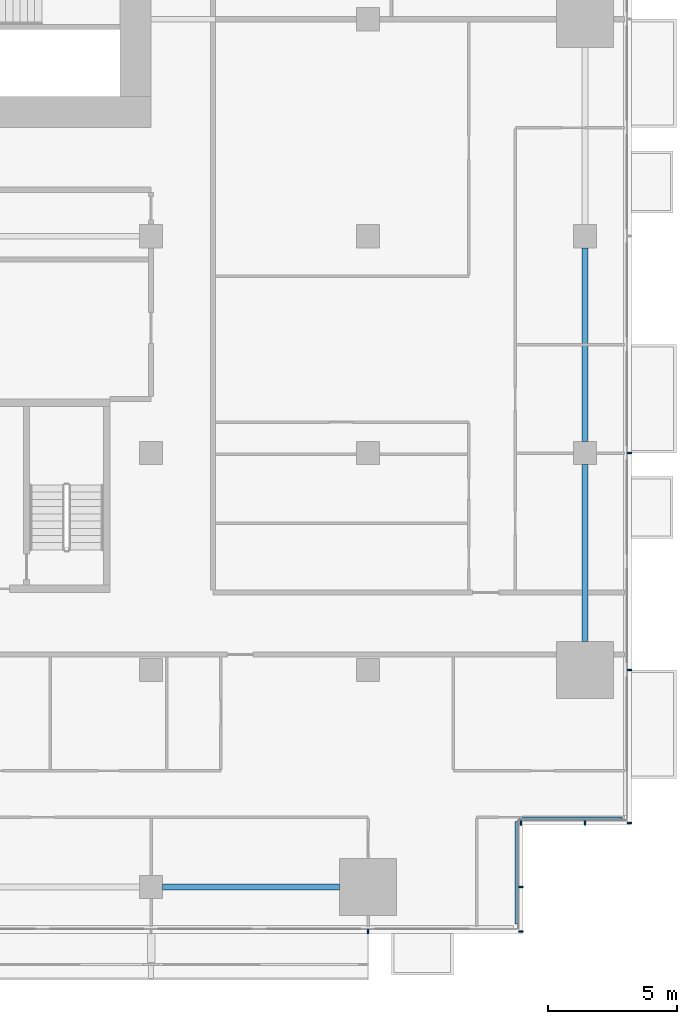
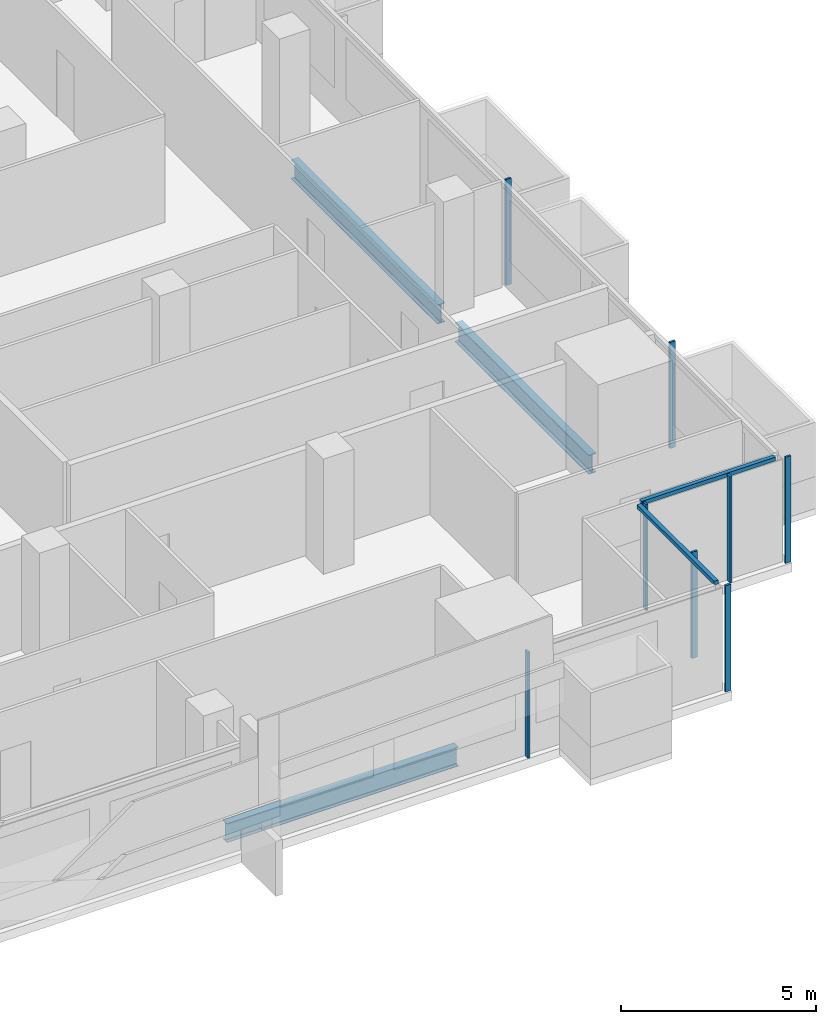
# One storey, part 11 of 27: 10 members, 3 beams, 4 elements without a shape of their own.
"""IFC4 building model written with IfcOpenShell, lengths in metres."""

from ifc_helpers import new_model, si_unit, direction, frame, origin, origin_2d, place, context, subcontext, project, spatial, rectangle, i_section, extrude, material, material_profile, profile_set, type_object, element, aggregate, save


model = new_model("IFC4")

# Units and contexts
model_context = context("Model", 3, precision=1e-05, world=origin(), true_north=direction((0.0, 1.0)))
body_context = subcontext(model_context, "Body", "Model", "MODEL_VIEW")
ifc_project = project(units=[si_unit("LENGTHUNIT", "METRE"), si_unit("AREAUNIT", "SQUARE_METRE"), si_unit("VOLUMEUNIT", "CUBIC_METRE"), si_unit("PLANEANGLEUNIT", "RADIAN"), si_unit("MASSUNIT", "GRAM", prefix="KILO")], contexts=[model_context])

# Site, building, storey
site_placement = place(None, origin())
site = spatial("IfcSite", under=ifc_project, at=site_placement, CompositionType="ELEMENT")
building_placement = place(site_placement, origin())
building = spatial("IfcBuilding", under=site, at=building_placement, Name="Saffron Gate Tower", CompositionType="ELEMENT")
storey_placement = place(building_placement, frame((0.0, 0.0, 44.39990234375)))
storey = spatial("IfcBuildingStorey", under=building, at=storey_placement, Name="L09", CompositionType="ELEMENT", Elevation=44.39990234375)

# Beams
ifc_material_1 = material(Name="Structural steel S355", Category="steel")
ifc_material_profile_1 = material_profile(ifc_material_1, i_section(OverallWidth=0.219970703125, OverallDepth=0.60009765625, WebThickness=0.011962890625, FlangeThickness=0.01904296875, FilletRadius=0.02392578125, at=origin_2d()))
ifc_profile_set_1 = profile_set([ifc_material_profile_1], Name="Structural steel S355")
beam_type = type_object("IfcBeamType", Name="B16 IPE 600", PredefinedType="SPANDREL", material=ifc_profile_set_1)
for number, where, z_axis, x_axis, name in (
    (1, (109.050048828125, 31.800048828125, -0.579833984375), (1.0, 0.0, 0.0), (0.0, 1.0, 0.0), "B16 SPANDREL BEAM"),
    (2, (125.39990234375, 41.300048828125, -0.579833984375), (0.0, 1.0, 0.0), (-1.0, 0.0, 0.0), "B16 SPANDREL BEAM"),
):
    element("IfcBeam", number, at=place(storey_placement, frame(where, z_axis=z_axis, x_axis=x_axis)), inside=storey, type_object=beam_type, Name=name, PredefinedType="SPANDREL", context=body_context, shape_type="SweptSolid", body=[
        extrude(i_section(OverallWidth=0.219970703125, OverallDepth=0.60009765625, WebThickness=0.011962890625, FlangeThickness=0.01904296875, FilletRadius=0.02392578125, at=origin_2d()), origin(), (0.0, 0.0, 1.0), 6.849853515625),
    ])
beam_placement = place(storey_placement, frame((125.39990234375, 49.050048828125, -0.579833984375), z_axis=(0.0, 1.0, 0.0), x_axis=(-1.0, 0.0, 0.0)))
element("IfcBeam", 3, at=beam_placement, inside=storey, type_object=beam_type, Name="B16 SPANDREL BEAM", PredefinedType="SPANDREL", context=body_context, shape_type="SweptSolid", body=[
    extrude(i_section(OverallWidth=0.219970703125, OverallDepth=0.60009765625, WebThickness=0.011962890625, FlangeThickness=0.01904296875, FilletRadius=0.02392578125, at=origin_2d()), origin(), (0.0, 0.0, 1.0), 7.5),
])

# Curtain wall, member
ifc_material_2 = material(Name="Aluminium, bronze anodised", Category="aluminium")
curtain_wall_type_1 = type_object("IfcCurtainWallType", Name="CWS1 curtain wall front facade", PredefinedType="NOTDEFINED", material=ifc_material_2)
curtain_wall_1_placement = place(storey_placement, origin())
curtain_wall_1 = element("IfcCurtainWall", 4, at=curtain_wall_1_placement, inside=storey, type_object=curtain_wall_type_1, Name="CWS1 run 1", PredefinedType="NOTDEFINED")
ifc_material_profile_2 = material_profile(ifc_material_2, rectangle(XDim=0.159912109375, YDim=0.06005859375, at=origin_2d()))
ifc_profile_set_2 = profile_set([ifc_material_profile_2], Name="Aluminium, bronze anodised")
member_type_1 = type_object("IfcMemberType", Name="CWS1 mullion 60x160", PredefinedType="MULLION", material=ifc_profile_set_2)
member_1_placement = place(storey_placement, frame((117.0, 30.080078125, 0.0), z_axis=(0.0, 0.0, 1.0), x_axis=(0.0, 1.0, 0.0)))
member_1 = element("IfcMember", 5, at=member_1_placement, type_object=member_type_1, Name="CWS1 mullion 9", PredefinedType="MULLION", context=body_context, shape_type="SweptSolid", body=[
    extrude(rectangle(XDim=0.159912109375, YDim=0.06005859375, at=origin_2d()), origin(), (0.0, 0.0, 1.0), 3.320068359375),
])
aggregate(curtain_wall_1, [member_1])

# Curtain wall, members
curtain_wall_type_2 = type_object("IfcCurtainWallType", Name="CWS2 curtain wall side facades", PredefinedType="NOTDEFINED", material=ifc_material_2)
curtain_wall_2_placement = place(storey_placement, origin())
curtain_wall_2 = element("IfcCurtainWall", 6, at=curtain_wall_2_placement, inside=storey, type_object=curtain_wall_type_2, Name="CWS2 run 4", PredefinedType="NOTDEFINED")
ifc_material_profile_3 = material_profile(ifc_material_2, rectangle(XDim=0.159912109375, YDim=0.06005859375, at=origin_2d()))
ifc_profile_set_3 = profile_set([ifc_material_profile_3], Name="Aluminium, bronze anodised")
member_type_2 = type_object("IfcMemberType", Name="CWS2 mullion 60x160", PredefinedType="MULLION", material=ifc_profile_set_3)
member_2_placement = place(storey_placement, frame((127.1201171875, 34.280029296875, 0.0), z_axis=(0.0, 0.0, 1.0), x_axis=(-1.0, 0.0, 0.0)))
member_2 = element("IfcMember", 7, at=member_2_placement, type_object=member_type_2, Name="CWS2 mullion 1", PredefinedType="MULLION", context=body_context, shape_type="SweptSolid", body=[
    extrude(rectangle(XDim=0.159912109375, YDim=0.06005859375, at=origin_2d()), origin(), (0.0, 0.0, 1.0), 3.320068359375),
])
member_3_placement = place(storey_placement, frame((127.1201171875, 40.199951171875, 0.0), z_axis=(0.0, 0.0, 1.0), x_axis=(-1.0, 0.0, 0.0)))
member_3 = element("IfcMember", 8, at=member_3_placement, type_object=member_type_2, Name="CWS2 mullion 2", PredefinedType="MULLION", context=body_context, shape_type="SweptSolid", body=[
    extrude(rectangle(XDim=0.159912109375, YDim=0.06005859375, at=origin_2d()), origin(), (0.0, 0.0, 1.0), 3.320068359375),
])
member_4_placement = place(storey_placement, frame((127.1201171875, 48.60009765625, 0.0), z_axis=(0.0, 0.0, 1.0), x_axis=(-1.0, 0.0, 0.0)))
member_4 = element("IfcMember", 9, at=member_4_placement, type_object=member_type_2, Name="CWS2 mullion 3", PredefinedType="MULLION", context=body_context, shape_type="SweptSolid", body=[
    extrude(rectangle(XDim=0.159912109375, YDim=0.06005859375, at=origin_2d()), origin(), (0.0, 0.0, 1.0), 3.320068359375),
])
aggregate(curtain_wall_2, [member_2, member_3, member_4])

# Curtain wall, member
curtain_wall_type_3 = type_object("IfcCurtainWallType", Name="CWS4 curtain wall corner returns", PredefinedType="NOTDEFINED", material=ifc_material_2)
curtain_wall_3_placement = place(storey_placement, origin())
curtain_wall_3 = element("IfcCurtainWall", 10, at=curtain_wall_3_placement, inside=storey, type_object=curtain_wall_type_3, Name="CWS4 run 2", PredefinedType="NOTDEFINED")
ifc_material_profile_4 = material_profile(ifc_material_2, rectangle(XDim=0.1201171875, YDim=0.1201171875, at=origin_2d()))
ifc_profile_set_4 = profile_set([ifc_material_profile_4], Name="Aluminium, bronze anodised")
member_type_3 = type_object("IfcMemberType", Name="CWS4 head transom", PredefinedType="USERDEFINED", material=ifc_profile_set_4)
member_5_placement = place(storey_placement, frame((122.751953125, 30.367919921875, 3.260009765625), z_axis=(0.0, 1.0, 0.0), x_axis=(-1.0, 0.0, 0.0)))
member_5 = element("IfcMember", 11, at=member_5_placement, type_object=member_type_3, Name="CWS4 head transom", ObjectType="TRANSOM", PredefinedType="USERDEFINED", context=body_context, shape_type="SweptSolid", body=[
    extrude(rectangle(XDim=0.1201171875, YDim=0.1201171875, at=origin_2d()), origin(), (0.0, 0.0, 1.0), 3.9599609375),
])

curtain_wall_4_placement = place(storey_placement, origin())
curtain_wall_4 = element("IfcCurtainWall", 12, at=curtain_wall_4_placement, inside=storey, type_object=curtain_wall_type_3, Name="CWS4 run 3", PredefinedType="NOTDEFINED")
member_6_placement = place(storey_placement, frame((122.8720703125, 34.447998046875, 3.260009765625), z_axis=(1.0, 0.0, 0.0), x_axis=(0.0, 1.0, 0.0)))
member_6 = element("IfcMember", 13, at=member_6_placement, type_object=member_type_3, Name="CWS4 head transom", ObjectType="TRANSOM", PredefinedType="USERDEFINED", context=body_context, shape_type="SweptSolid", body=[
    extrude(rectangle(XDim=0.1201171875, YDim=0.1201171875, at=origin_2d()), origin(), (0.0, 0.0, 1.0), 3.9599609375),
])

# Member
ifc_material_profile_5 = material_profile(ifc_material_2, rectangle(XDim=0.159912109375, YDim=0.06005859375, at=origin_2d()))
ifc_profile_set_5 = profile_set([ifc_material_profile_5], Name="Aluminium, bronze anodised")
member_type_4 = type_object("IfcMemberType", Name="CWS4 mullion 60x160", PredefinedType="MULLION", material=ifc_profile_set_5)
member_7_placement = place(storey_placement, frame((122.919921875, 30.080078125, 0.0), z_axis=(0.0, 0.0, 1.0), x_axis=(-1.0, 0.0, 0.0)))
member_7 = element("IfcMember", 14, at=member_7_placement, type_object=member_type_4, Name="CWS4 mullion 1", PredefinedType="MULLION", context=body_context, shape_type="SweptSolid", body=[
    extrude(rectangle(XDim=0.159912109375, YDim=0.06005859375, at=origin_2d()), origin(), (0.0, 0.0, 1.0), 3.320068359375),
])

member_8_placement = place(storey_placement, frame((122.919921875, 31.800048828125, 0.0), z_axis=(0.0, 0.0, 1.0), x_axis=(-1.0, 0.0, 0.0)))
member_8 = element("IfcMember", 15, at=member_8_placement, type_object=member_type_4, Name="CWS4 mullion 2", PredefinedType="MULLION", context=body_context, shape_type="SweptSolid", body=[
    extrude(rectangle(XDim=0.159912109375, YDim=0.06005859375, at=origin_2d()), origin(), (0.0, 0.0, 1.0), 3.320068359375),
])

aggregate(curtain_wall_3, [member_7, member_8, member_5])

member_9_placement = place(storey_placement, frame((122.919921875, 34.280029296875, 0.0), z_axis=(0.0, 0.0, 1.0), x_axis=(0.0, 1.0, 0.0)))
member_9 = element("IfcMember", 16, at=member_9_placement, type_object=member_type_4, Name="CWS4 mullion 1", PredefinedType="MULLION", context=body_context, shape_type="SweptSolid", body=[
    extrude(rectangle(XDim=0.159912109375, YDim=0.06005859375, at=origin_2d()), origin(), (0.0, 0.0, 1.0), 3.320068359375),
])

member_10_placement = place(storey_placement, frame((125.39990234375, 34.280029296875, 0.0), z_axis=(0.0, 0.0, 1.0), x_axis=(0.0, 1.0, 0.0)))
member_10 = element("IfcMember", 17, at=member_10_placement, type_object=member_type_4, Name="CWS4 mullion 2", PredefinedType="MULLION", context=body_context, shape_type="SweptSolid", body=[
    extrude(rectangle(XDim=0.159912109375, YDim=0.06005859375, at=origin_2d()), origin(), (0.0, 0.0, 1.0), 3.320068359375),
])

aggregate(curtain_wall_4, [member_9, member_10, member_6])

save(model, "model.ifc")
